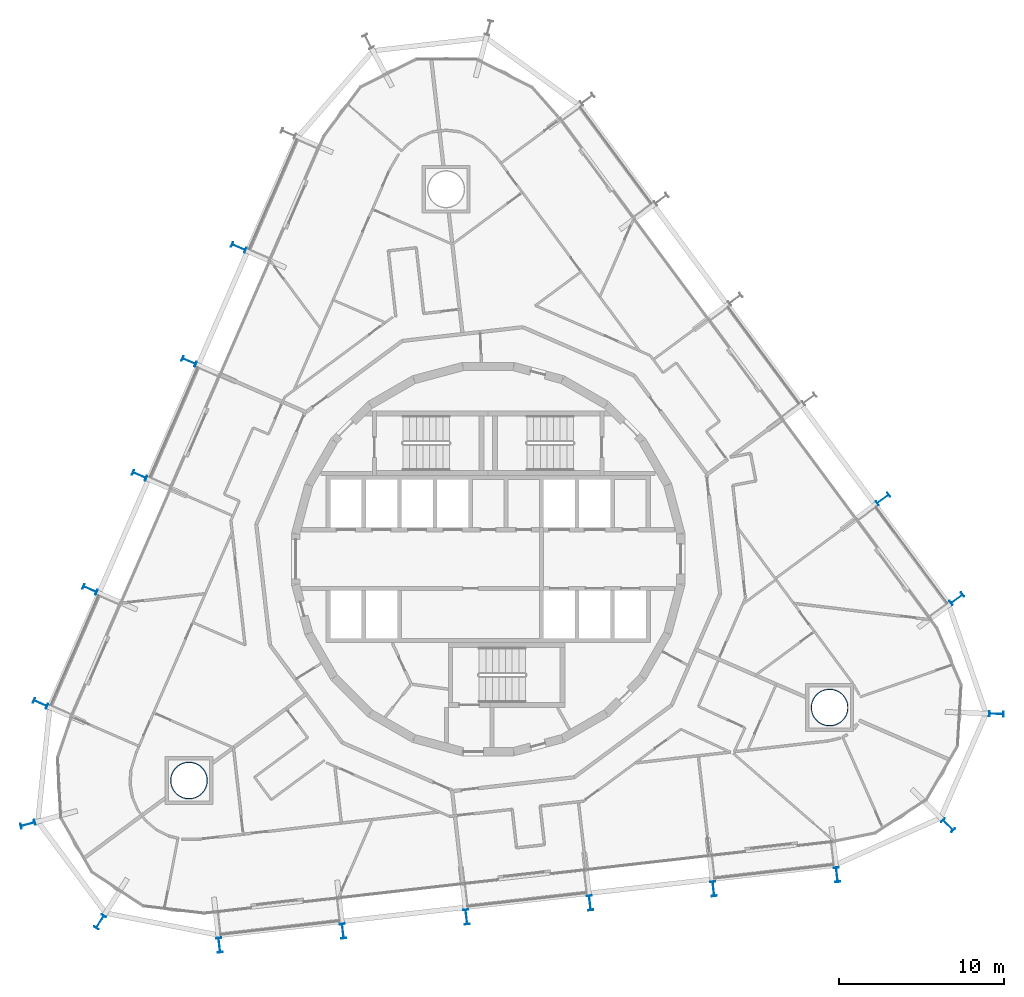
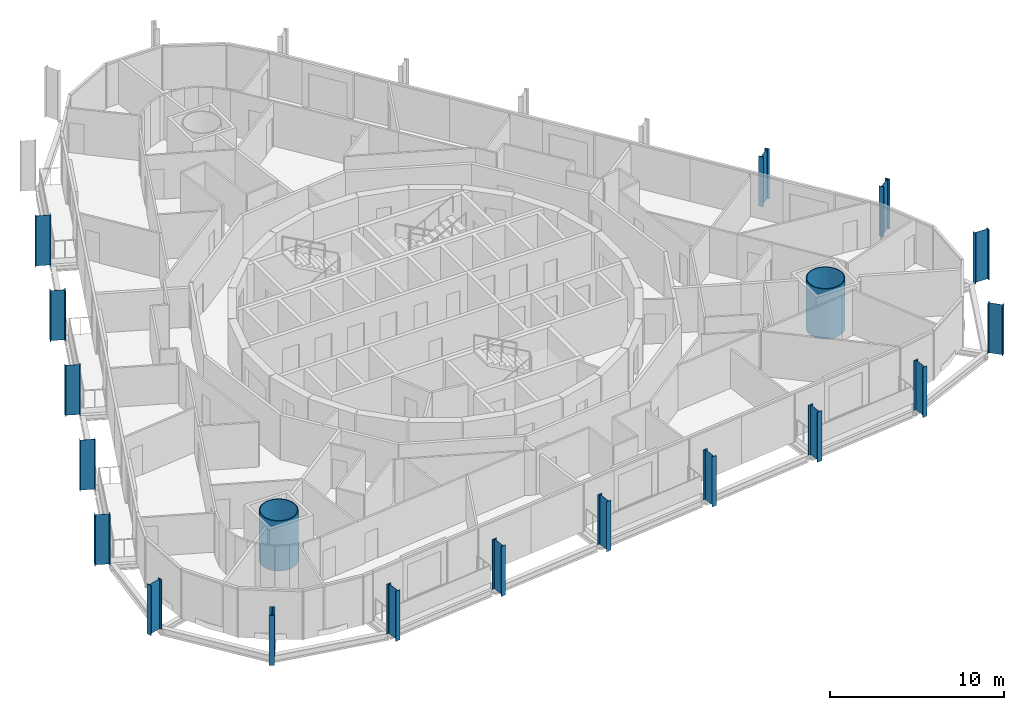
# One storey, part 1 of 24: 19 columns.
"""IFC4 building model written with IfcOpenShell, lengths in metres."""

from ifc_helpers import new_model, si_unit, direction, frame, origin, origin_2d, place, context, subcontext, project, spatial, hollow_circle, i_section, extrude, material, material_profile, profile_set, type_object, element, save


model = new_model("IFC4")

# Units and contexts
model_context = context("Model", 3, precision=1e-05, world=origin(), true_north=direction((0.0, 1.0)))
body_context = subcontext(model_context, "Body", "Model", "MODEL_VIEW")
ifc_project = project(units=[si_unit("LENGTHUNIT", "METRE"), si_unit("AREAUNIT", "SQUARE_METRE"), si_unit("VOLUMEUNIT", "CUBIC_METRE"), si_unit("PLANEANGLEUNIT", "RADIAN"), si_unit("MASSUNIT", "GRAM", prefix="KILO")], contexts=[model_context])

# Site, building, storey
site_placement = place(None, origin())
site = spatial("IfcSite", under=ifc_project, at=site_placement, CompositionType="ELEMENT")
building_placement = place(site_placement, origin())
building = spatial("IfcBuilding", under=site, at=building_placement, Name="Spindle Arch Residences", CompositionType="ELEMENT")
storey_placement = place(building_placement, frame((0.0, 0.0, 87.199951171875)))
storey = spatial("IfcBuildingStorey", under=building, at=storey_placement, Name="L20", CompositionType="ELEMENT", Elevation=87.199951171875)

# Columns
ifc_material_1 = material(Name="Steel S460ML, intumescent coating R 240", Category="steel")
ifc_material_profile_1 = material_profile(ifc_material_1, i_section(OverallWidth=0.300048828125, OverallDepth=0.89990234375, WebThickness=0.0185546875, FlangeThickness=0.034912109375, FilletRadius=0.030029296875, at=origin_2d()), Name="HEB 900")
ifc_profile_set_1 = profile_set([ifc_material_profile_1], Name="Steel S460ML, intumescent coating R 240")
column_type_1 = type_object("IfcColumnType", Name="Exoskeleton post HEB 900", PredefinedType="COLUMN", material=ifc_profile_set_1)
for number, where, z_axis, x_axis, name in (
    (1, (6.153076171875, -20.794677734375, -0.3798828125), (0.0, 0.0, 1.0), (-0.993571881569, -0.113202986513, 0.0), "Exoskeleton post 1"),
    (2, (13.62353515625, -19.943603515625, -0.3798828125), (0.0, 0.0, 1.0), (-0.993571881569, -0.113202986513, 0.0), "Exoskeleton post 2"),
    (3, (21.093994140625, -19.09228515625, -0.3798828125), (0.0, 0.0, 1.0), (-0.993571881569, -0.113202986513, 0.0), "Exoskeleton post 3"),
    (4, (27.81103515625, -16.097900390625, -0.3798828125), (0.0, 0.0, 1.0), (-0.704963041271, -0.709244041527, 0.0), "Exoskeleton post 4"),
    (5, (30.740478515625, -9.36083984375, -0.3798828125), (0.0, 0.0, 1.0), (-0.037923985838, -0.9992806269, 0.0), "Exoskeleton post 5"),
    (6, (28.349365234375, -2.40625, -0.3798828125), (0.0, 0.0, 1.0), (0.594822857897, -0.803856807972, 0.0), "Exoskeleton post 6"),
    (7, (23.876953125, 3.637939453125, -0.3798828125), (0.0, 0.0, 1.0), (0.594822857897, -0.803856807972, 0.0), "Exoskeleton post 7"),
    (8, (-15.0888671875, 18.859130859375, -0.3798828125), (0.0, 0.0, 1.0), (0.398749038162, 0.917060087761, 0.0), "Exoskeleton post 15"),
    (9, (-18.087158203125, 11.9638671875, -0.3798828125), (0.0, 0.0, 1.0), (0.398749038162, 0.917060087761, 0.0), "Exoskeleton post 16"),
    (10, (-21.085205078125, 5.068603515625, -0.3798828125), (0.0, 0.0, 1.0), (0.398749038162, 0.917060087761, 0.0), "Exoskeleton post 17"),
    (11, (-24.083251953125, -1.826416015625, -0.3798828125), (0.0, 0.0, 1.0), (0.398749038162, 0.917060087761, 0.0), "Exoskeleton post 18"),
    (12, (-27.081298828125, -8.7216796875, -0.3798828125), (0.0, 0.0, 1.0), (0.398749038162, 0.917060087761, 0.0), "Exoskeleton post 19"),
    (13, (-27.8466796875, -16.035888671875, -0.3798828125), (0.0, 0.0, 1.0), (-0.261741969429, 0.965137887268, 0.0), "Exoskeleton post 20"),
    (14, (-23.47705078125, -21.94140625, -0.3798828125), (0.0, 0.0, 1.0), (-0.846440049151, 0.532484030928, 0.0), "Exoskeleton post 21"),
    (15, (-16.258544921875, -23.34814453125, -0.3798828125), (0.0, 0.0, 1.0), (-0.993571881569, -0.113202986513, 0.0), "Exoskeleton post 22"),
    (16, (-8.7880859375, -22.4970703125, -0.3798828125), (0.0, 0.0, 1.0), (-0.993571881569, -0.113202986513, 0.0), "Exoskeleton post 23"),
    (17, (-1.3173828125, -21.645751953125, -0.3798828125), (0.0, 0.0, 1.0), (-0.993571881569, -0.113202986513, 0.0), "Exoskeleton post 24"),
):
    element("IfcColumn", number, at=place(storey_placement, frame(where, z_axis=z_axis, x_axis=x_axis)), inside=storey, type_object=column_type_1, Name=name, PredefinedType="COLUMN", context=body_context, shape_type="SweptSolid", body=[
        extrude(i_section(OverallWidth=0.300048828125, OverallDepth=0.89990234375, WebThickness=0.0185546875, FlangeThickness=0.034912109375, FilletRadius=0.030029296875, at=origin_2d()), origin(), (0.0, 0.0, 1.0), 3.5),
    ])
ifc_material_2 = material(Name="Concrete C50/60 filled steel tube S460ML, intumescent coating R 240", Category="concrete")
ifc_material_profile_2 = material_profile(ifc_material_2, hollow_circle(Radius=1.125, WallThickness=0.054931640625, at=origin_2d()), Name="CFT D2250x55")
ifc_profile_set_2 = profile_set([ifc_material_profile_2], Name="Concrete C50/60 filled steel tube S460ML, intumescent coating R 240")
column_type_2 = type_object("IfcColumnType", Name="Mega-column CFT D2250x55", PredefinedType="COLUMN", material=ifc_profile_set_2)
for number, where, z_axis, x_axis, name in (
    (18, (20.647705078125, -8.977783203125, -0.3798828125), (0.0, 0.0, 1.0), (1.0, 0.0, 0.0), "Mega-column 1"),
    (19, (-18.098876953125, -13.392578125, -0.3798828125), (0.0, 0.0, 1.0), (1.0, 0.0, 0.0), "Mega-column 3"),
):
    element("IfcColumn", number, at=place(storey_placement, frame(where, z_axis=z_axis, x_axis=x_axis)), inside=storey, type_object=column_type_2, Name=name, PredefinedType="COLUMN", context=body_context, shape_type="SweptSolid", body=[
        extrude(hollow_circle(Radius=1.125, WallThickness=0.054931640625, at=origin_2d()), origin(), (0.0, 0.0, 1.0), 3.5),
    ])

save(model, "model.ifc")
